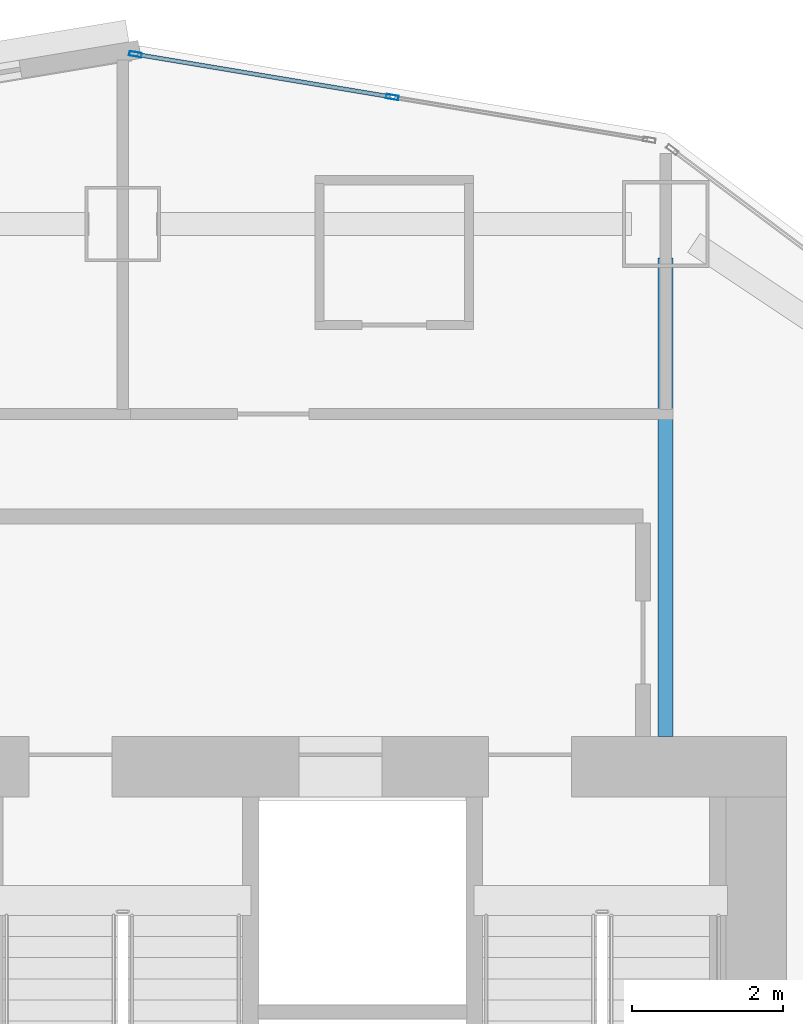
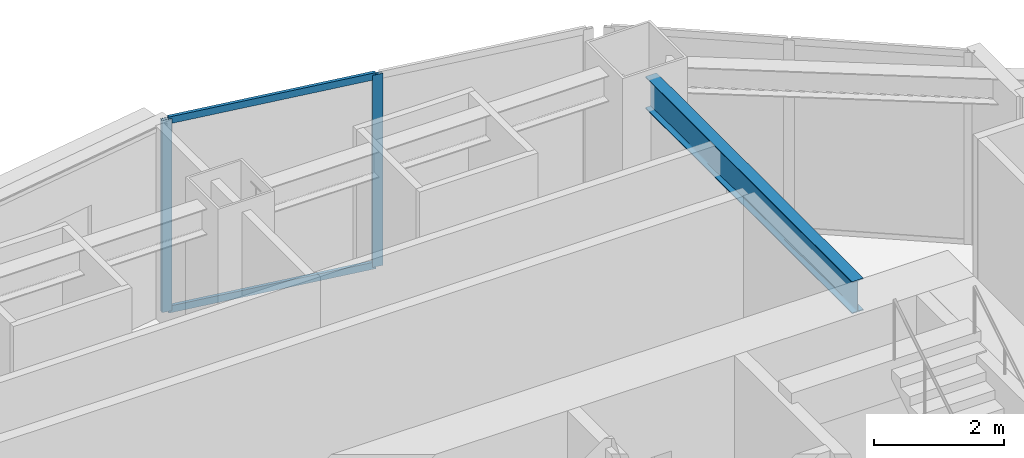
# One storey, part 2 of 16: 4 members, 1 beam, 1 element without a shape of its own.
"""IFC4 building model written with IfcOpenShell, lengths in metres."""

from ifc_helpers import new_model, si_unit, direction, frame, origin, origin_2d, place, context, subcontext, project, spatial, hollow_rectangle, i_section, extrude, material, layer, layer_set, material_profile, profile_set, type_object, element, aggregate, save


model = new_model("IFC4")

# Units and contexts
model_context = context("Model", 3, precision=1e-05, world=origin(), true_north=direction((0.0, 1.0)))
body_context = subcontext(model_context, "Body", "Model", "MODEL_VIEW")
ifc_project = project(units=[si_unit("LENGTHUNIT", "METRE"), si_unit("AREAUNIT", "SQUARE_METRE"), si_unit("VOLUMEUNIT", "CUBIC_METRE"), si_unit("PLANEANGLEUNIT", "RADIAN"), si_unit("MASSUNIT", "GRAM", prefix="KILO")], contexts=[model_context])

# Site, building, storey
site_placement = place(None, origin())
site = spatial("IfcSite", under=ifc_project, at=site_placement, CompositionType="ELEMENT")
building_placement = place(site_placement, origin())
building = spatial("IfcBuilding", under=site, at=building_placement, Name="Haolan Belvedere Tower", CompositionType="ELEMENT")
storey_placement = place(building_placement, frame((0.0, 0.0, 47.60009765625)))
storey = spatial("IfcBuildingStorey", under=building, at=storey_placement, Name="L11", CompositionType="ELEMENT", Elevation=47.60009765625)

# Beam
ifc_material_1 = material(Name="Steel Q355B", Category="steel")
ifc_material_profile_1 = material_profile(ifc_material_1, i_section(OverallWidth=0.199951171875, OverallDepth=0.60009765625, WebThickness=0.010986328125, FlangeThickness=0.01708984375, FilletRadius=0.02197265625, at=origin_2d()), Name="Steel Q355B")
ifc_profile_set_1 = profile_set([ifc_material_profile_1], Name="Steel Q355B")
beam_type = type_object("IfcBeamType", Name="BM-HN600x200x11x17", PredefinedType="BEAM", material=ifc_profile_set_1)
beam_placement = place(storey_placement, frame((45.60009765625, 49.949951171875, 3.2998046875), z_axis=(0.0, -1.0, 0.0), x_axis=(1.0, 0.0, 0.0)))
element("IfcBeam", 1, at=beam_placement, inside=storey, type_object=beam_type, Name="L11 core tie beam from MC-T3-N2", PredefinedType="BEAM", context=body_context, shape_type="SweptSolid", body=[
    extrude(i_section(OverallWidth=0.199951171875, OverallDepth=0.60009765625, WebThickness=0.010986328125, FlangeThickness=0.01708984375, FilletRadius=0.02197265625, at=origin_2d()), origin(), (0.0, 0.0, 1.0), 6.349853515625),
])

# Curtain wall, members
ifc_material_2 = material(Name="Anodised champagne-silver aluminium 6063-T6 and Low-E glass", Category="aluminium")
ifc_layer = layer(ifc_material_2, 0.1650390625, Name="Anodised champagne-silver aluminium 6063-T6 and Low-E glass")
ifc_layer_set = layer_set([ifc_layer], Name="Anodised champagne-silver aluminium 6063-T6 and Low-E glass")
curtain_wall_type = type_object("IfcCurtainWallType", Name="CW-SYS-02", PredefinedType="NOTDEFINED", material=ifc_layer_set)
curtain_wall_placement = place(storey_placement, origin())
curtain_wall = element("IfcCurtainWall", 2, at=curtain_wall_placement, inside=storey, type_object=curtain_wall_type, Name="L11 CW-SYS-02 ribbon curtain wall 42.1", PredefinedType="NOTDEFINED")
ifc_material_3 = material(Name="Anodised aluminium 6063-T6", Category="aluminium")
ifc_material_profile_2 = material_profile(ifc_material_3, hollow_rectangle(XDim=0.06005859375, YDim=0.1650390625, WallThickness=0.00390625, at=origin_2d()), Name="Anodised aluminium 6063-T6")
ifc_profile_set_2 = profile_set([ifc_material_profile_2], Name="Anodised aluminium 6063-T6")
member_type_1 = type_object("IfcMemberType", Name="CW-SYS-02-MUL", PredefinedType="MULLION", material=ifc_profile_set_2)
member_1_placement = place(storey_placement, frame((41.9755859375, 52.082275390625, 0.0), z_axis=(0.0, 0.0, 1.0), x_axis=(-0.16440364043, -0.9863931483, 0.0)))
member_1 = element("IfcMember", 3, at=member_1_placement, type_object=member_type_1, Name="CW-02 mullion 2", PredefinedType="MULLION", context=body_context, shape_type="SweptSolid", body=[
    extrude(hollow_rectangle(XDim=0.06005859375, YDim=0.1650390625, WallThickness=0.00390625, at=origin_2d()), origin(), (0.0, 0.0, 1.0), 3.599853515625),
])
member_2_placement = place(storey_placement, frame((38.567626953125, 52.650390625, 0.0), z_axis=(0.0, 0.0, 1.0), x_axis=(-0.16440364043, -0.9863931483, 0.0)))
member_2 = element("IfcMember", 4, at=member_2_placement, type_object=member_type_1, Name="CW-02 mullion 3", PredefinedType="MULLION", context=body_context, shape_type="SweptSolid", body=[
    extrude(hollow_rectangle(XDim=0.06005859375, YDim=0.1650390625, WallThickness=0.00390625, at=origin_2d()), origin(), (0.0, 0.0, 1.0), 3.599853515625),
])
ifc_material_profile_3 = material_profile(ifc_material_3, hollow_rectangle(XDim=0.054931640625, YDim=0.1298828125, WallThickness=0.00390625, at=origin_2d()), Name="Anodised aluminium 6063-T6")
ifc_profile_set_3 = profile_set([ifc_material_profile_3], Name="Anodised aluminium 6063-T6")
member_type_2 = type_object("IfcMemberType", Name="CW-SYS-02-TRN", PredefinedType="USERDEFINED", material=ifc_profile_set_3)
member_3_placement = place(storey_placement, frame((41.946044921875, 52.08740234375, 0.02734375), z_axis=(-0.986395867289, 0.164387326137, 0.0), x_axis=(-0.164387326137, -0.986395867289, 0.0)))
member_3 = element("IfcMember", 5, at=member_3_placement, type_object=member_type_2, Name="CW-02 transom 2.1", ObjectType="TRANSOM", PredefinedType="USERDEFINED", context=body_context, shape_type="SweptSolid", body=[
    extrude(hollow_rectangle(XDim=0.054931640625, YDim=0.1298828125, WallThickness=0.00390625, at=origin_2d()), origin(), (0.0, 0.0, 1.0), 3.39501953125),
])
member_4_placement = place(storey_placement, frame((41.946044921875, 52.08740234375, 3.572509765625), z_axis=(-0.986395867289, 0.164387326137, 0.0), x_axis=(-0.164387326137, -0.986395867289, 0.0)))
member_4 = element("IfcMember", 6, at=member_4_placement, type_object=member_type_2, Name="CW-02 transom 2.2", ObjectType="TRANSOM", PredefinedType="USERDEFINED", context=body_context, shape_type="SweptSolid", body=[
    extrude(hollow_rectangle(XDim=0.054931640625, YDim=0.1298828125, WallThickness=0.00390625, at=origin_2d()), origin(), (0.0, 0.0, 1.0), 3.39501953125),
])
aggregate(curtain_wall, [member_1, member_2, member_3, member_4])

save(model, "model.ifc")
